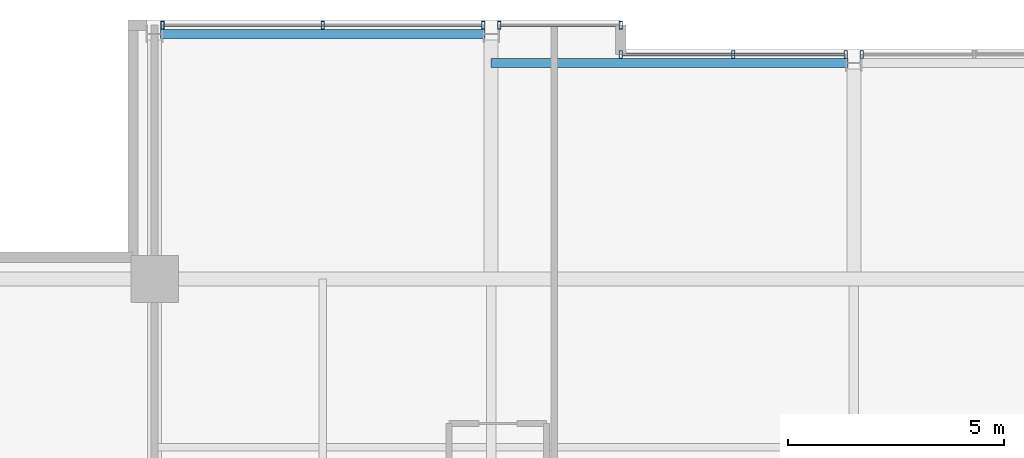
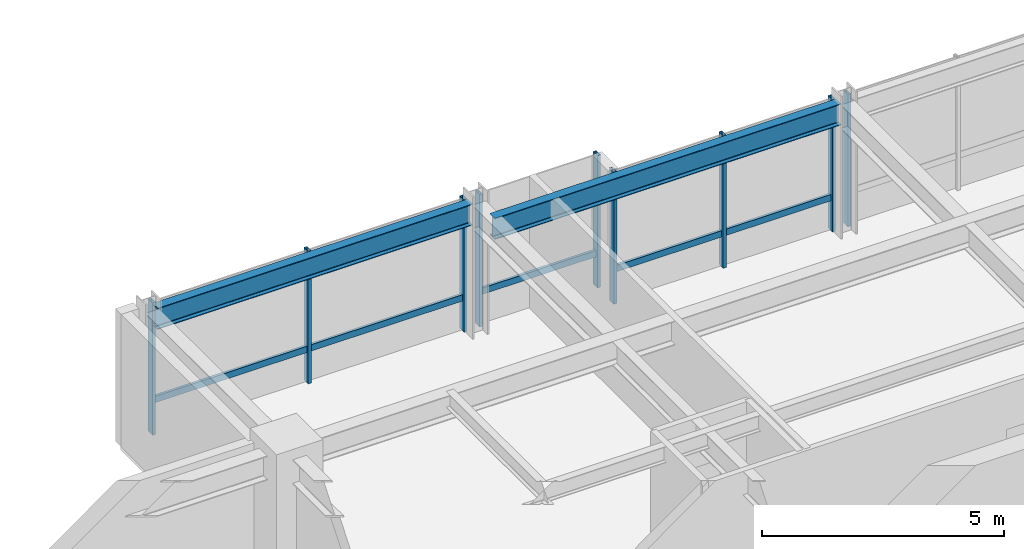
# One storey, part 20 of 32: 12 members, 2 beams, 4 elements without a shape of their own.
"""IFC4 building model written with IfcOpenShell, lengths in metres."""

from ifc_helpers import new_model, si_unit, direction, frame, origin, origin_2d, place, context, subcontext, project, spatial, hollow_rectangle, i_section, extrude, material, layer, layer_set, material_profile, profile_set, type_object, element, aggregate, save


model = new_model("IFC4")

# Units and contexts
model_context = context("Model", 3, precision=1e-05, world=origin(), true_north=direction((0.0, 1.0)))
body_context = subcontext(model_context, "Body", "Model", "MODEL_VIEW")
ifc_project = project(units=[si_unit("LENGTHUNIT", "METRE"), si_unit("AREAUNIT", "SQUARE_METRE"), si_unit("VOLUMEUNIT", "CUBIC_METRE"), si_unit("PLANEANGLEUNIT", "RADIAN"), si_unit("MASSUNIT", "GRAM", prefix="KILO")], contexts=[model_context])

# Site, building, storey
site_placement = place(None, origin())
site = spatial("IfcSite", under=ifc_project, at=site_placement, CompositionType="ELEMENT")
building_placement = place(site_placement, origin())
building = spatial("IfcBuilding", under=site, at=building_placement, Name="Drelvath Grand Hotel", CompositionType="ELEMENT")
storey_placement = place(building_placement, frame((0.0, 0.0, 226.699951171875)))
storey = spatial("IfcBuildingStorey", under=building, at=storey_placement, Name="L59", CompositionType="ELEMENT", Elevation=226.699951171875)

# Curtain wall, member
ifc_material_1 = material(Name="Platinum-Mist Anodised Aluminium Frame", Category="aluminium")
ifc_layer = layer(ifc_material_1, 0.199951171875)
ifc_layer_set = layer_set([ifc_layer], Name="Platinum-Mist Anodised Aluminium Frame")
curtain_wall_type = type_object("IfcCurtainWallType", Name="Stick Curtain Wall CW-05 Platinum Mist High-Rise", PredefinedType="NOTDEFINED", material=ifc_layer_set)
curtain_wall_1_placement = place(storey_placement, origin())
curtain_wall_1 = element("IfcCurtainWall", 1, at=curtain_wall_1_placement, inside=storey, type_object=curtain_wall_type, Name="L59 CW-05 Curtain Wall CW05-L59-NW2", PredefinedType="NOTDEFINED")
ifc_material_profile_1 = material_profile(ifc_material_1, hollow_rectangle(XDim=0.06494140625, YDim=0.159912109375, WallThickness=0.00390625, at=origin_2d()), Name="HSS160X65X4")
ifc_profile_set_1 = profile_set([ifc_material_profile_1], Name="Platinum-Mist Anodised Aluminium Frame")
member_type_1 = type_object("IfcMemberType", Name="Curtain Wall Horizontal Transom CW-05 HSS160X65X4", PredefinedType="USERDEFINED", material=ifc_profile_set_1)
member_1_placement = place(storey_placement, frame((-15.974609375, 49.080078125, 0.8349609375), z_axis=(1.0, 0.0, 0.0), x_axis=(0.0, 1.0, 0.0)))
member_1 = element("IfcMember", 2, at=member_1_placement, type_object=member_type_1, Name="CW05-L59-NW2 Sill Transom", ObjectType="TRANSOM", PredefinedType="USERDEFINED", context=body_context, shape_type="SweptSolid", body=[
    extrude(hollow_rectangle(XDim=0.06494140625, YDim=0.159912109375, WallThickness=0.00390625, at=origin_2d()), origin(), (0.0, 0.0, 1.0), 7.349365234375),
])

curtain_wall_2_placement = place(storey_placement, origin())
curtain_wall_2 = element("IfcCurtainWall", 3, at=curtain_wall_2_placement, inside=storey, type_object=curtain_wall_type, Name="L59 CW-05 Curtain Wall CW05-L59-NW3", PredefinedType="NOTDEFINED")
member_2_placement = place(storey_placement, frame((-8.1748046875, 49.080078125, 0.8349609375), z_axis=(1.0, 0.0, 0.0), x_axis=(0.0, 1.0, 0.0)))
member_2 = element("IfcMember", 4, at=member_2_placement, type_object=member_type_1, Name="CW05-L59-NW3 Sill Transom", ObjectType="TRANSOM", PredefinedType="USERDEFINED", context=body_context, shape_type="SweptSolid", body=[
    extrude(hollow_rectangle(XDim=0.06494140625, YDim=0.159912109375, WallThickness=0.00390625, at=origin_2d()), origin(), (0.0, 0.0, 1.0), 2.73486328125),
])

curtain_wall_3_placement = place(storey_placement, origin())
curtain_wall_3 = element("IfcCurtainWall", 5, at=curtain_wall_3_placement, inside=storey, type_object=curtain_wall_type, Name="L59 CW-05 Curtain Wall CW05-L59-NM1", PredefinedType="NOTDEFINED")
member_3_placement = place(storey_placement, frame((-5.360107421875, 48.39990234375, 0.8349609375), z_axis=(1.0, 0.0, 0.0), x_axis=(0.0, 1.0, 0.0)))
member_3 = element("IfcMember", 6, at=member_3_placement, type_object=member_type_1, Name="CW05-L59-NM1 Sill Transom", ObjectType="TRANSOM", PredefinedType="USERDEFINED", context=body_context, shape_type="SweptSolid", body=[
    extrude(hollow_rectangle(XDim=0.06494140625, YDim=0.159912109375, WallThickness=0.00390625, at=origin_2d()), origin(), (0.0, 0.0, 1.0), 5.134765625),
])

# Member
ifc_material_profile_2 = material_profile(ifc_material_1, hollow_rectangle(XDim=0.074951171875, YDim=0.179931640625, WallThickness=0.0048828125, at=origin_2d()), Name="HSS180X75X5")
ifc_profile_set_2 = profile_set([ifc_material_profile_2], Name="Platinum-Mist Anodised Aluminium Frame")
member_type_2 = type_object("IfcMemberType", Name="Curtain Wall Vertical Mullion CW-05 HSS180X75X5", PredefinedType="MULLION", material=ifc_profile_set_2)
member_4_placement = place(storey_placement, frame((-16.0146484375, 49.080078125, 0.0), z_axis=(0.0, 0.0, 1.0), x_axis=(1.0, 0.0, 0.0)))
member_4 = element("IfcMember", 7, at=member_4_placement, type_object=member_type_2, Name="CW05-L59-NW2 Mullion 1", PredefinedType="MULLION", context=body_context, shape_type="SweptSolid", body=[
    extrude(hollow_rectangle(XDim=0.074951171875, YDim=0.179931640625, WallThickness=0.0048828125, at=origin_2d()), origin(), (0.0, 0.0, 1.0), 3.340087890625),
])

member_5_placement = place(storey_placement, frame((-12.300048828125, 49.080078125, 0.0), z_axis=(0.0, 0.0, 1.0), x_axis=(1.0, 0.0, 0.0)))
member_5 = element("IfcMember", 8, at=member_5_placement, type_object=member_type_2, Name="CW05-L59-NW2 Mullion 2", PredefinedType="MULLION", context=body_context, shape_type="SweptSolid", body=[
    extrude(hollow_rectangle(XDim=0.074951171875, YDim=0.179931640625, WallThickness=0.0048828125, at=origin_2d()), origin(), (0.0, 0.0, 1.0), 3.340087890625),
])

member_6_placement = place(storey_placement, frame((-8.585205078125, 49.080078125, 0.0), z_axis=(0.0, 0.0, 1.0), x_axis=(1.0, 0.0, 0.0)))
member_6 = element("IfcMember", 9, at=member_6_placement, type_object=member_type_2, Name="CW05-L59-NW2 Mullion 3", PredefinedType="MULLION", context=body_context, shape_type="SweptSolid", body=[
    extrude(hollow_rectangle(XDim=0.074951171875, YDim=0.179931640625, WallThickness=0.0048828125, at=origin_2d()), origin(), (0.0, 0.0, 1.0), 3.340087890625),
])

aggregate(curtain_wall_1, [member_4, member_5, member_6, member_1])

member_7_placement = place(storey_placement, frame((-8.214599609375, 49.080078125, 0.0), z_axis=(0.0, 0.0, 1.0), x_axis=(1.0, 0.0, 0.0)))
member_7 = element("IfcMember", 10, at=member_7_placement, type_object=member_type_2, Name="CW05-L59-NW3 Mullion 1", PredefinedType="MULLION", context=body_context, shape_type="SweptSolid", body=[
    extrude(hollow_rectangle(XDim=0.074951171875, YDim=0.179931640625, WallThickness=0.0048828125, at=origin_2d()), origin(), (0.0, 0.0, 1.0), 3.340087890625),
])

member_8_placement = place(storey_placement, frame((-5.39990234375, 49.080078125, 0.0), z_axis=(0.0, 0.0, 1.0), x_axis=(1.0, 0.0, 0.0)))
member_8 = element("IfcMember", 11, at=member_8_placement, type_object=member_type_2, Name="CW05-L59-NW3 Mullion 2", PredefinedType="MULLION", context=body_context, shape_type="SweptSolid", body=[
    extrude(hollow_rectangle(XDim=0.074951171875, YDim=0.179931640625, WallThickness=0.0048828125, at=origin_2d()), origin(), (0.0, 0.0, 1.0), 3.340087890625),
])

aggregate(curtain_wall_2, [member_7, member_8, member_2])

member_9_placement = place(storey_placement, frame((-5.39990234375, 48.39990234375, 0.0), z_axis=(0.0, 0.0, 1.0), x_axis=(1.0, 0.0, 0.0)))
member_9 = element("IfcMember", 12, at=member_9_placement, type_object=member_type_2, Name="CW05-L59-NM1 Mullion 1", PredefinedType="MULLION", context=body_context, shape_type="SweptSolid", body=[
    extrude(hollow_rectangle(XDim=0.074951171875, YDim=0.179931640625, WallThickness=0.0048828125, at=origin_2d()), origin(), (0.0, 0.0, 1.0), 3.340087890625),
])

member_10_placement = place(storey_placement, frame((-2.792724609375, 48.39990234375, 0.0), z_axis=(0.0, 0.0, 1.0), x_axis=(1.0, 0.0, 0.0)))
member_10 = element("IfcMember", 13, at=member_10_placement, type_object=member_type_2, Name="CW05-L59-NM1 Mullion 2", PredefinedType="MULLION", context=body_context, shape_type="SweptSolid", body=[
    extrude(hollow_rectangle(XDim=0.074951171875, YDim=0.179931640625, WallThickness=0.0048828125, at=origin_2d()), origin(), (0.0, 0.0, 1.0), 3.340087890625),
])

member_11_placement = place(storey_placement, frame((-0.185302734375, 48.39990234375, 0.0), z_axis=(0.0, 0.0, 1.0), x_axis=(1.0, 0.0, 0.0)))
member_11 = element("IfcMember", 14, at=member_11_placement, type_object=member_type_2, Name="CW05-L59-NM1 Mullion 3", PredefinedType="MULLION", context=body_context, shape_type="SweptSolid", body=[
    extrude(hollow_rectangle(XDim=0.074951171875, YDim=0.179931640625, WallThickness=0.0048828125, at=origin_2d()), origin(), (0.0, 0.0, 1.0), 3.340087890625),
])

aggregate(curtain_wall_3, [member_9, member_10, member_11, member_3])

# Curtain wall, member
curtain_wall_4_placement = place(storey_placement, origin())
curtain_wall_4 = element("IfcCurtainWall", 15, at=curtain_wall_4_placement, inside=storey, type_object=curtain_wall_type, Name="L59 CW-05 Curtain Wall CW05-L59-NM2", PredefinedType="NOTDEFINED")
member_12_placement = place(storey_placement, frame((0.185302734375, 48.39990234375, 0.0), z_axis=(0.0, 0.0, 1.0), x_axis=(1.0, 0.0, 0.0)))
member_12 = element("IfcMember", 16, at=member_12_placement, type_object=member_type_2, Name="CW05-L59-NM2 Mullion 1", PredefinedType="MULLION", context=body_context, shape_type="SweptSolid", body=[
    extrude(hollow_rectangle(XDim=0.074951171875, YDim=0.179931640625, WallThickness=0.0048828125, at=origin_2d()), origin(), (0.0, 0.0, 1.0), 3.340087890625),
])
aggregate(curtain_wall_4, [member_12])

# Beams
ifc_material_2 = material(Name="Steel ASTM A992 Gr 50", Category="steel")
ifc_material_profile_3 = material_profile(ifc_material_2, i_section(OverallWidth=0.210205078125, OverallDepth=0.53662109375, WebThickness=0.010986328125, FlangeThickness=0.017333984375, FilletRadius=0.01806640625, at=origin_2d()), Name="W21X68")
ifc_profile_set_3 = profile_set([ifc_material_profile_3], Name="Steel ASTM A992 Gr 50")
beam_type = type_object("IfcBeamType", Name="Perimeter Spandrel Beam W21X68", PredefinedType="SPANDREL", material=ifc_profile_set_3)
beam_1_placement = place(storey_placement, frame((-16.06005859375, 48.8798828125, 3.071533203125), z_axis=(1.0, 0.0, 0.0), x_axis=(0.0, 1.0, 0.0)))
element("IfcBeam", 17, at=beam_1_placement, inside=storey, type_object=beam_type, Name="L59 Spandrel North W", PredefinedType="SPANDREL", context=body_context, shape_type="SweptSolid", body=[
    extrude(i_section(OverallWidth=0.210205078125, OverallDepth=0.53662109375, WebThickness=0.010986328125, FlangeThickness=0.017333984375, FilletRadius=0.01806640625, at=origin_2d()), origin(), (0.0, 0.0, 1.0), 7.52001953125),
])
beam_2_placement = place(storey_placement, frame((-8.39990234375, 48.199951171875, 3.071533203125), z_axis=(1.0, 0.0, 0.0), x_axis=(0.0, 1.0, 0.0)))
element("IfcBeam", 18, at=beam_2_placement, inside=storey, type_object=beam_type, Name="L59 Spandrel North Mid W", PredefinedType="SPANDREL", context=body_context, shape_type="SweptSolid", body=[
    extrude(i_section(OverallWidth=0.210205078125, OverallDepth=0.53662109375, WebThickness=0.010986328125, FlangeThickness=0.017333984375, FilletRadius=0.01806640625, at=origin_2d()), origin(), (0.0, 0.0, 1.0), 8.260009765625),
])

save(model, "model.ifc")
